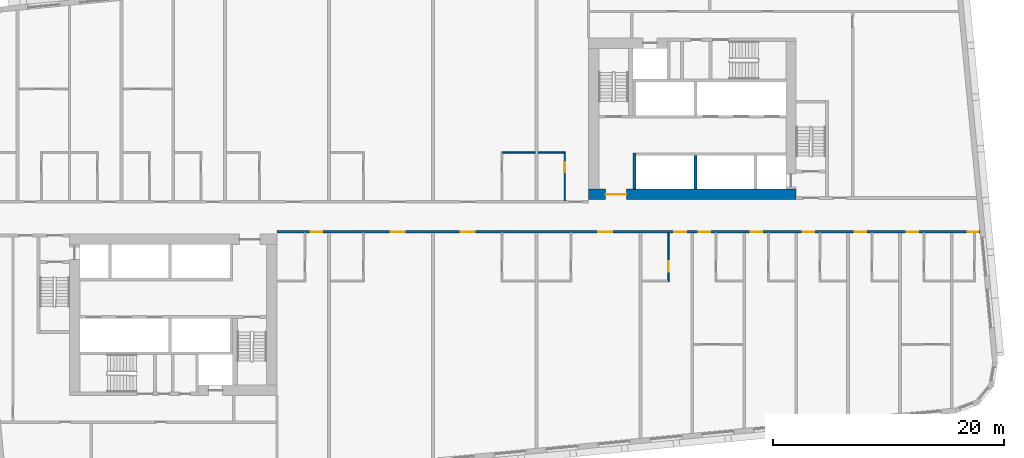
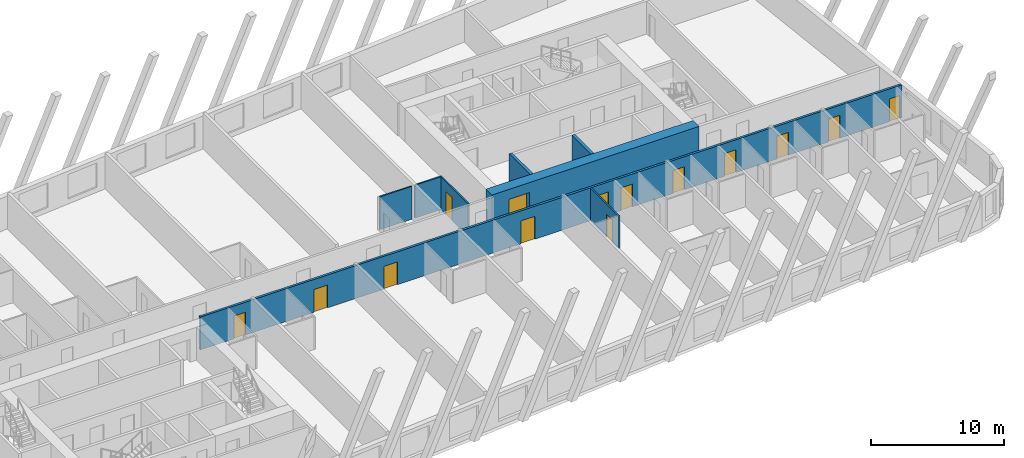
# One storey, part 5 of 13: 14 doors, 8 walls, 14 openings.
"""IFC4 building model written with IfcOpenShell, lengths in metres."""

from ifc_helpers import new_model, si_unit, direction, frame, frame_2d, origin, place, context, subcontext, project, spatial, rectangle, extrude, material, layer, layer_set, type_object, element, fill, save


model = new_model("IFC4")

# Units and contexts
model_context = context("Model", 3, precision=1e-05, world=origin(), true_north=direction((0.0, 1.0)))
body_context = subcontext(model_context, "Body", "Model", "MODEL_VIEW")
ifc_project = project(units=[si_unit("LENGTHUNIT", "METRE"), si_unit("AREAUNIT", "SQUARE_METRE"), si_unit("VOLUMEUNIT", "CUBIC_METRE"), si_unit("PLANEANGLEUNIT", "RADIAN"), si_unit("MASSUNIT", "GRAM", prefix="KILO")], contexts=[model_context])

# Site, building, storey
site_placement = place(None, origin())
site = spatial("IfcSite", under=ifc_project, at=site_placement, CompositionType="ELEMENT")
building_placement = place(site_placement, origin())
building = spatial("IfcBuilding", under=site, at=building_placement, Name="Kajstack Hotel Tower", CompositionType="ELEMENT")
storey_placement = place(building_placement, frame((0.0, 0.0, 120.699951171875)))
storey = spatial("IfcBuildingStorey", under=building, at=storey_placement, Name="L26", CompositionType="ELEMENT", Elevation=120.699951171875)

# Wall, opening, door
ifc_material_1 = material(Name="Concrete C60/75", Category="concrete")
ifc_layer_1 = layer(ifc_material_1, 0.89990234375)
ifc_layer_set_1 = layer_set([ifc_layer_1], Name="Core wall 900")
wall_type_1 = type_object("IfcWallType", Name="Core wall 900", PredefinedType="SHEAR", material=ifc_layer_set_1)
wall_1_placement = place(storey_placement, frame((13.5, 1.949951171875, 0.0), z_axis=(0.0, 0.0, 1.0), x_axis=(1.0, 0.0, 0.0)))
wall_1 = element("IfcWall", 1, at=wall_1_placement, inside=storey, type_object=wall_type_1, Name="Core wall E RN", PredefinedType="SHEAR", context=body_context, shape_type="SweptSolid", body=[
    extrude(rectangle(XDim=18.0, YDim=0.89990234375, at=frame_2d((9.0, 0.0))), origin(), (0.0, 0.0, 1.0), 3.02001953125),
])
opening_1_placement = place(wall_1_placement, frame((1.47509765625, 0.0, 0.0)))
opening_1 = element("IfcOpeningElement", 2, at=opening_1_placement, cuts=wall_1, Name="Opening 26E06", PredefinedType="OPENING", context=body_context, shape_type="SweptSolid", body=[
    extrude(rectangle(XDim=1.800048828125, YDim=2.10009765625, at=frame_2d((0.89990234375, 1.050048828125))), frame((0.0, 0.4599609375, 0.0), z_axis=(0.0, -1.0, 0.0), x_axis=(1.0, 0.0, 0.0)), (0.0, 0.0, 1.0), 0.919921875),
])
ifc_material_2 = material(Name="Glazed steel frame, fire-rated glass", Category="steel")
door_type_1 = type_object("IfcDoorType", Name="Lobby double door 1800", OperationType="DOUBLE_DOOR_DOUBLE_SWING", PredefinedType="DOOR", material=ifc_material_2)
door_1_placement = place(opening_1_placement, origin())
door_1 = element("IfcDoor", 3, at=door_1_placement, inside=storey, type_object=door_type_1, Name="Door 26E06", OperationType="DOUBLE_DOOR_DOUBLE_SWING", OverallHeight=2.10009765625, OverallWidth=1.800048828125, PredefinedType="DOOR", context=body_context, shape_type="SweptSolid", body=[
    extrude(rectangle(XDim=1.800048828125, YDim=2.10009765625, at=frame_2d((0.89990234375, 1.050048828125))), frame((0.0, 0.02490234375, 0.0), z_axis=(0.0, -1.0, 0.0), x_axis=(1.0, 0.0, 0.0)), (0.0, 0.0, 1.0), 0.050048828125),
])
fill(opening_1, door_1)

# Wall, openings, doors
ifc_material_3 = material(Name="Gypsum board on steel studs, mineral wool", Category="steel")
ifc_layer_2 = layer(ifc_material_3, 0.199951171875)
ifc_layer_set_2 = layer_set([ifc_layer_2], Name="Corridor wall 200")
wall_type_2 = type_object("IfcWallType", Name="Corridor wall 200", PredefinedType="PARTITIONING", material=ifc_layer_set_2)
wall_2_placement = place(storey_placement, frame((-13.5, -1.300048828125, 0.0), z_axis=(0.0, 0.0, 1.0), x_axis=(1.0, 0.0, 0.0)))
wall_2 = element("IfcWall", 4, at=wall_2_placement, inside=storey, type_object=wall_type_2, Name="G-wall-L26-026", PredefinedType="PARTITIONING", context=body_context, shape_type="SweptSolid", body=[
    extrude(rectangle(XDim=60.931884765625, YDim=0.199951171875, at=frame_2d((30.4658203125, 0.0))), origin(), (0.0, 0.0, 1.0), 3.02001953125),
])
opening_2_placement = place(wall_2_placement, frame((2.925048828125, 0.0, 0.0)))
opening_2 = element("IfcOpeningElement", 5, at=opening_2_placement, cuts=wall_2, Name="Opening 26021", PredefinedType="OPENING", context=body_context, shape_type="SweptSolid", body=[
    extrude(rectangle(XDim=1.0, YDim=2.10009765625, at=frame_2d((0.5, 1.050048828125))), frame((0.0, 0.10986328125, 0.0), z_axis=(0.0, -1.0, 0.0), x_axis=(1.0, 0.0, 0.0)), (0.0, 0.0, 1.0), 0.219970703125),
])
opening_3_placement = place(wall_2_placement, frame((9.863037109375, 0.0, 0.0)))
opening_3 = element("IfcOpeningElement", 6, at=opening_3_placement, cuts=wall_2, Name="Opening 26023", PredefinedType="OPENING", context=body_context, shape_type="SweptSolid", body=[
    extrude(rectangle(XDim=1.199951171875, YDim=2.10009765625, at=frame_2d((0.60009765625, 1.050048828125))), frame((0.0, 0.10986328125, 0.0), z_axis=(0.0, -1.0, 0.0), x_axis=(1.0, 0.0, 0.0)), (0.0, 0.0, 1.0), 0.219970703125),
])
opening_4_placement = place(wall_2_placement, frame((15.93798828125, 0.0, 0.0)))
opening_4 = element("IfcOpeningElement", 7, at=opening_4_placement, cuts=wall_2, Name="Opening 26025", PredefinedType="OPENING", context=body_context, shape_type="SweptSolid", body=[
    extrude(rectangle(XDim=1.199951171875, YDim=2.10009765625, at=frame_2d((0.60009765625, 1.050048828125))), frame((0.0, 0.10986328125, 0.0), z_axis=(0.0, -1.0, 0.0), x_axis=(1.0, 0.0, 0.0)), (0.0, 0.0, 1.0), 0.219970703125),
])
opening_5_placement = place(wall_2_placement, frame((27.862060546875, 0.0, 0.0)))
opening_5 = element("IfcOpeningElement", 8, at=opening_5_placement, cuts=wall_2, Name="Opening 26027", PredefinedType="OPENING", context=body_context, shape_type="SweptSolid", body=[
    extrude(rectangle(XDim=1.199951171875, YDim=2.10009765625, at=frame_2d((0.60009765625, 1.050048828125))), frame((0.0, 0.10986328125, 0.0), z_axis=(0.0, -1.0, 0.0), x_axis=(1.0, 0.0, 0.0)), (0.0, 0.0, 1.0), 0.219970703125),
])
opening_6_placement = place(wall_2_placement, frame((34.449951171875, 0.0, 0.0)))
opening_6 = element("IfcOpeningElement", 9, at=opening_6_placement, cuts=wall_2, Name="Opening 26029", PredefinedType="OPENING", context=body_context, shape_type="SweptSolid", body=[
    extrude(rectangle(XDim=1.0, YDim=2.10009765625, at=frame_2d((0.5, 1.050048828125))), frame((0.0, 0.10986328125, 0.0), z_axis=(0.0, -1.0, 0.0), x_axis=(1.0, 0.0, 0.0)), (0.0, 0.0, 1.0), 0.219970703125),
])
opening_7_placement = place(wall_2_placement, frame((36.550048828125, 0.0, 0.0)))
opening_7 = element("IfcOpeningElement", 10, at=opening_7_placement, cuts=wall_2, Name="Opening 26031", PredefinedType="OPENING", context=body_context, shape_type="SweptSolid", body=[
    extrude(rectangle(XDim=1.0, YDim=2.10009765625, at=frame_2d((0.5, 1.050048828125))), frame((0.0, 0.10986328125, 0.0), z_axis=(0.0, -1.0, 0.0), x_axis=(1.0, 0.0, 0.0)), (0.0, 0.0, 1.0), 0.219970703125),
])
opening_8_placement = place(wall_2_placement, frame((41.074951171875, 0.0, 0.0)))
opening_8 = element("IfcOpeningElement", 11, at=opening_8_placement, cuts=wall_2, Name="Opening 26034", PredefinedType="OPENING", context=body_context, shape_type="SweptSolid", body=[
    extrude(rectangle(XDim=1.0, YDim=2.10009765625, at=frame_2d((0.5, 1.050048828125))), frame((0.0, 0.10986328125, 0.0), z_axis=(0.0, -1.0, 0.0), x_axis=(1.0, 0.0, 0.0)), (0.0, 0.0, 1.0), 0.219970703125),
])
opening_9_placement = place(wall_2_placement, frame((45.550048828125, 0.0, 0.0)))
opening_9 = element("IfcOpeningElement", 12, at=opening_9_placement, cuts=wall_2, Name="Opening 26036", PredefinedType="OPENING", context=body_context, shape_type="SweptSolid", body=[
    extrude(rectangle(XDim=1.0, YDim=2.10009765625, at=frame_2d((0.5, 1.050048828125))), frame((0.0, 0.10986328125, 0.0), z_axis=(0.0, -1.0, 0.0), x_axis=(1.0, 0.0, 0.0)), (0.0, 0.0, 1.0), 0.219970703125),
])
opening_10_placement = place(wall_2_placement, frame((50.074951171875, 0.0, 0.0)))
opening_10 = element("IfcOpeningElement", 13, at=opening_10_placement, cuts=wall_2, Name="Opening 26038", PredefinedType="OPENING", context=body_context, shape_type="SweptSolid", body=[
    extrude(rectangle(XDim=1.0, YDim=2.10009765625, at=frame_2d((0.5, 1.050048828125))), frame((0.0, 0.10986328125, 0.0), z_axis=(0.0, -1.0, 0.0), x_axis=(1.0, 0.0, 0.0)), (0.0, 0.0, 1.0), 0.219970703125),
])
opening_11_placement = place(wall_2_placement, frame((54.574951171875, 0.0, 0.0)))
opening_11 = element("IfcOpeningElement", 14, at=opening_11_placement, cuts=wall_2, Name="Opening 26040", PredefinedType="OPENING", context=body_context, shape_type="SweptSolid", body=[
    extrude(rectangle(XDim=1.0, YDim=2.10009765625, at=frame_2d((0.5, 1.050048828125))), frame((0.0, 0.10986328125, 0.0), z_axis=(0.0, -1.0, 0.0), x_axis=(1.0, 0.0, 0.0)), (0.0, 0.0, 1.0), 0.219970703125),
])
opening_12_placement = place(wall_2_placement, frame((59.882080078125, 0.0, 0.0)))
opening_12 = element("IfcOpeningElement", 15, at=opening_12_placement, cuts=wall_2, Name="Opening 26043", PredefinedType="OPENING", context=body_context, shape_type="SweptSolid", body=[
    extrude(rectangle(XDim=0.89990234375, YDim=2.10009765625, at=frame_2d((0.449951171875, 1.050048828125))), frame((0.0, 0.10986328125, 0.0), z_axis=(0.0, -1.0, 0.0), x_axis=(1.0, 0.0, 0.0)), (0.0, 0.0, 1.0), 0.219970703125),
])
ifc_material_4 = material(Name="Oak veneer on timber core, fire-rated leaf", Category="wood")
door_type_2 = type_object("IfcDoorType", Name="Flat entrance door 1000", OperationType="SINGLE_SWING_LEFT", PredefinedType="DOOR", material=ifc_material_4)
door_2_placement = place(opening_2_placement, origin())
door_2 = element("IfcDoor", 16, at=door_2_placement, inside=storey, type_object=door_type_2, Name="G-door-L26-21", OperationType="SINGLE_SWING_LEFT", OverallHeight=2.10009765625, OverallWidth=1.0, PredefinedType="DOOR", context=body_context, shape_type="SweptSolid", body=[
    extrude(rectangle(XDim=1.0, YDim=2.10009765625, at=frame_2d((0.5, 1.050048828125))), frame((0.0, 0.02490234375, 0.0), z_axis=(0.0, -1.0, 0.0), x_axis=(1.0, 0.0, 0.0)), (0.0, 0.0, 1.0), 0.050048828125),
])
fill(opening_2, door_2)
door_3_placement = place(opening_6_placement, origin())
door_3 = element("IfcDoor", 17, at=door_3_placement, inside=storey, type_object=door_type_2, Name="G-door-L26-29", OperationType="SINGLE_SWING_LEFT", OverallHeight=2.10009765625, OverallWidth=1.0, PredefinedType="DOOR", context=body_context, shape_type="SweptSolid", body=[
    extrude(rectangle(XDim=1.0, YDim=2.10009765625, at=frame_2d((0.5, 1.050048828125))), frame((0.0, 0.02490234375, 0.0), z_axis=(0.0, -1.0, 0.0), x_axis=(1.0, 0.0, 0.0)), (0.0, 0.0, 1.0), 0.050048828125),
])
fill(opening_6, door_3)
door_4_placement = place(opening_7_placement, origin())
door_4 = element("IfcDoor", 18, at=door_4_placement, inside=storey, type_object=door_type_2, Name="G-door-L26-31", OperationType="SINGLE_SWING_LEFT", OverallHeight=2.10009765625, OverallWidth=1.0, PredefinedType="DOOR", context=body_context, shape_type="SweptSolid", body=[
    extrude(rectangle(XDim=1.0, YDim=2.10009765625, at=frame_2d((0.5, 1.050048828125))), frame((0.0, 0.02490234375, 0.0), z_axis=(0.0, -1.0, 0.0), x_axis=(1.0, 0.0, 0.0)), (0.0, 0.0, 1.0), 0.050048828125),
])
fill(opening_7, door_4)
door_5_placement = place(opening_8_placement, origin())
door_5 = element("IfcDoor", 19, at=door_5_placement, inside=storey, type_object=door_type_2, Name="G-door-L26-34", OperationType="SINGLE_SWING_RIGHT", OverallHeight=2.10009765625, OverallWidth=1.0, PredefinedType="DOOR", context=body_context, shape_type="SweptSolid", body=[
    extrude(rectangle(XDim=1.0, YDim=2.10009765625, at=frame_2d((0.5, 1.050048828125))), frame((0.0, 0.02490234375, 0.0), z_axis=(0.0, -1.0, 0.0), x_axis=(1.0, 0.0, 0.0)), (0.0, 0.0, 1.0), 0.050048828125),
])
fill(opening_8, door_5)
door_6_placement = place(opening_9_placement, origin())
door_6 = element("IfcDoor", 20, at=door_6_placement, inside=storey, type_object=door_type_2, Name="G-door-L26-36", OperationType="SINGLE_SWING_LEFT", OverallHeight=2.10009765625, OverallWidth=1.0, PredefinedType="DOOR", context=body_context, shape_type="SweptSolid", body=[
    extrude(rectangle(XDim=1.0, YDim=2.10009765625, at=frame_2d((0.5, 1.050048828125))), frame((0.0, 0.02490234375, 0.0), z_axis=(0.0, -1.0, 0.0), x_axis=(1.0, 0.0, 0.0)), (0.0, 0.0, 1.0), 0.050048828125),
])
fill(opening_9, door_6)
door_7_placement = place(opening_10_placement, origin())
door_7 = element("IfcDoor", 21, at=door_7_placement, inside=storey, type_object=door_type_2, Name="G-door-L26-38", OperationType="SINGLE_SWING_LEFT", OverallHeight=2.10009765625, OverallWidth=1.0, PredefinedType="DOOR", context=body_context, shape_type="SweptSolid", body=[
    extrude(rectangle(XDim=1.0, YDim=2.10009765625, at=frame_2d((0.5, 1.050048828125))), frame((0.0, 0.02490234375, 0.0), z_axis=(0.0, -1.0, 0.0), x_axis=(1.0, 0.0, 0.0)), (0.0, 0.0, 1.0), 0.050048828125),
])
fill(opening_10, door_7)
door_8_placement = place(opening_11_placement, origin())
door_8 = element("IfcDoor", 22, at=door_8_placement, inside=storey, type_object=door_type_2, Name="G-door-L26-40", OperationType="SINGLE_SWING_RIGHT", OverallHeight=2.10009765625, OverallWidth=1.0, PredefinedType="DOOR", context=body_context, shape_type="SweptSolid", body=[
    extrude(rectangle(XDim=1.0, YDim=2.10009765625, at=frame_2d((0.5, 1.050048828125))), frame((0.0, 0.02490234375, 0.0), z_axis=(0.0, -1.0, 0.0), x_axis=(1.0, 0.0, 0.0)), (0.0, 0.0, 1.0), 0.050048828125),
])
fill(opening_11, door_8)
door_type_3 = type_object("IfcDoorType", Name="Flat entrance door 1200", OperationType="SINGLE_SWING_LEFT", PredefinedType="DOOR", material=ifc_material_4)
door_9_placement = place(opening_3_placement, origin())
door_9 = element("IfcDoor", 23, at=door_9_placement, inside=storey, type_object=door_type_3, Name="G-door-L26-23", OperationType="SINGLE_SWING_LEFT", OverallHeight=2.10009765625, OverallWidth=1.199951171875, PredefinedType="DOOR", context=body_context, shape_type="SweptSolid", body=[
    extrude(rectangle(XDim=1.199951171875, YDim=2.10009765625, at=frame_2d((0.60009765625, 1.050048828125))), frame((0.0, 0.02490234375, 0.0), z_axis=(0.0, -1.0, 0.0), x_axis=(1.0, 0.0, 0.0)), (0.0, 0.0, 1.0), 0.050048828125),
])
fill(opening_3, door_9)
door_10_placement = place(opening_4_placement, origin())
door_10 = element("IfcDoor", 24, at=door_10_placement, inside=storey, type_object=door_type_3, Name="G-door-L26-25", OperationType="SINGLE_SWING_RIGHT", OverallHeight=2.10009765625, OverallWidth=1.199951171875, PredefinedType="DOOR", context=body_context, shape_type="SweptSolid", body=[
    extrude(rectangle(XDim=1.199951171875, YDim=2.10009765625, at=frame_2d((0.60009765625, 1.050048828125))), frame((0.0, 0.02490234375, 0.0), z_axis=(0.0, -1.0, 0.0), x_axis=(1.0, 0.0, 0.0)), (0.0, 0.0, 1.0), 0.050048828125),
])
fill(opening_4, door_10)
door_11_placement = place(opening_5_placement, origin())
door_11 = element("IfcDoor", 25, at=door_11_placement, inside=storey, type_object=door_type_3, Name="G-door-L26-27", OperationType="SINGLE_SWING_LEFT", OverallHeight=2.10009765625, OverallWidth=1.199951171875, PredefinedType="DOOR", context=body_context, shape_type="SweptSolid", body=[
    extrude(rectangle(XDim=1.199951171875, YDim=2.10009765625, at=frame_2d((0.60009765625, 1.050048828125))), frame((0.0, 0.02490234375, 0.0), z_axis=(0.0, -1.0, 0.0), x_axis=(1.0, 0.0, 0.0)), (0.0, 0.0, 1.0), 0.050048828125),
])
fill(opening_5, door_11)
ifc_material_5 = material(Name="Painted timber door leaf", Category="wood")
door_type_4 = type_object("IfcDoorType", Name="Room door 900", OperationType="SINGLE_SWING_LEFT", PredefinedType="DOOR", material=ifc_material_5)
door_12_placement = place(opening_12_placement, origin())
door_12 = element("IfcDoor", 26, at=door_12_placement, inside=storey, type_object=door_type_4, Name="G-door-L26-43", OperationType="SINGLE_SWING_LEFT", OverallHeight=2.10009765625, OverallWidth=0.89990234375, PredefinedType="DOOR", context=body_context, shape_type="SweptSolid", body=[
    extrude(rectangle(XDim=0.89990234375, YDim=2.10009765625, at=frame_2d((0.449951171875, 1.050048828125))), frame((0.0, 0.02490234375, 0.0), z_axis=(0.0, -1.0, 0.0), x_axis=(1.0, 0.0, 0.0)), (0.0, 0.0, 1.0), 0.050048828125),
])
fill(opening_12, door_12)

# Wall
ifc_material_6 = material(Name="Gypsum board and tiled backer on steel studs", Category="steel")
ifc_layer_3 = layer(ifc_material_6, 0.125)
ifc_layer_set_3 = layer_set([ifc_layer_3], Name="En-suite wall 125")
wall_type_3 = type_object("IfcWallType", Name="En-suite wall 125", PredefinedType="PARTITIONING", material=ifc_layer_set_3)
wall_3_placement = place(storey_placement, frame((6.074951171875, 5.56201171875, 0.0), z_axis=(0.0, 0.0, 1.0), x_axis=(1.0, 0.0, 0.0)))
element("IfcWall", 27, at=wall_3_placement, inside=storey, type_object=wall_type_3, Name="G-wall-L26-023", PredefinedType="PARTITIONING", context=body_context, shape_type="SweptSolid", body=[
    extrude(rectangle(XDim=2.800048828125, YDim=0.125, at=frame_2d((1.39990234375, 0.0))), origin(), (0.0, 0.0, 1.0), 3.02001953125),
])

# Wall, opening, door
wall_4_placement = place(storey_placement, frame((11.43798828125, 1.39990234375, 0.0), z_axis=(0.0, 0.0, 1.0), x_axis=(0.0, 1.0, 0.0)))
wall_4 = element("IfcWall", 28, at=wall_4_placement, inside=storey, type_object=wall_type_3, Name="G-wall-L26-024", PredefinedType="PARTITIONING", context=body_context, shape_type="SweptSolid", body=[
    extrude(rectangle(XDim=4.22509765625, YDim=0.125, at=frame_2d((2.112548828125, 0.0))), origin(), (0.0, 0.0, 1.0), 3.02001953125),
])
opening_13_placement = place(wall_4_placement, frame((2.449951171875, 0.0, 0.0)))
opening_13 = element("IfcOpeningElement", 29, at=opening_13_placement, cuts=wall_4, Name="Opening 26020", PredefinedType="OPENING", context=body_context, shape_type="SweptSolid", body=[
    extrude(rectangle(XDim=0.89990234375, YDim=2.10009765625, at=frame_2d((0.449951171875, 1.050048828125))), frame((0.0, 0.072509765625, 0.0), z_axis=(0.0, -1.0, 0.0), x_axis=(1.0, 0.0, 0.0)), (0.0, 0.0, 1.0), 0.14501953125),
])
door_13_placement = place(opening_13_placement, origin())
door_13 = element("IfcDoor", 30, at=door_13_placement, inside=storey, type_object=door_type_4, Name="G-door-L26-20", OperationType="SINGLE_SWING_LEFT", OverallHeight=2.10009765625, OverallWidth=0.89990234375, PredefinedType="DOOR", context=body_context, shape_type="SweptSolid", body=[
    extrude(rectangle(XDim=0.89990234375, YDim=2.10009765625, at=frame_2d((0.449951171875, 1.050048828125))), frame((0.0, 0.02490234375, 0.0), z_axis=(0.0, -1.0, 0.0), x_axis=(1.0, 0.0, 0.0)), (0.0, 0.0, 1.0), 0.050048828125),
])
fill(opening_13, door_13)

# Wall
wall_5_placement = place(storey_placement, frame((9.125, 5.56201171875, 0.0), z_axis=(0.0, 0.0, 1.0), x_axis=(1.0, 0.0, 0.0)))
element("IfcWall", 31, at=wall_5_placement, inside=storey, type_object=wall_type_3, Name="G-wall-L26-025", PredefinedType="PARTITIONING", context=body_context, shape_type="SweptSolid", body=[
    extrude(rectangle(XDim=2.25, YDim=0.125, at=frame_2d((1.125, 0.0))), origin(), (0.0, 0.0, 1.0), 3.02001953125),
])

# Wall, opening, door
wall_6_placement = place(storey_placement, frame((20.43798828125, -5.625, 0.0), z_axis=(0.0, 0.0, 1.0), x_axis=(0.0, 1.0, 0.0)))
wall_6 = element("IfcWall", 32, at=wall_6_placement, inside=storey, type_object=wall_type_3, Name="G-wall-L26-036", PredefinedType="PARTITIONING", context=body_context, shape_type="SweptSolid", body=[
    extrude(rectangle(XDim=4.22509765625, YDim=0.125, at=frame_2d((2.112548828125, 0.0))), origin(), (0.0, 0.0, 1.0), 3.02001953125),
])
opening_14_placement = place(wall_6_placement, frame((0.875, 0.0, 0.0)))
opening_14 = element("IfcOpeningElement", 33, at=opening_14_placement, cuts=wall_6, Name="Opening 26030", PredefinedType="OPENING", context=body_context, shape_type="SweptSolid", body=[
    extrude(rectangle(XDim=0.89990234375, YDim=2.10009765625, at=frame_2d((0.449951171875, 1.050048828125))), frame((0.0, 0.072509765625, 0.0), z_axis=(0.0, -1.0, 0.0), x_axis=(1.0, 0.0, 0.0)), (0.0, 0.0, 1.0), 0.14501953125),
])
door_14_placement = place(opening_14_placement, origin())
door_14 = element("IfcDoor", 34, at=door_14_placement, inside=storey, type_object=door_type_4, Name="G-door-L26-30", OperationType="SINGLE_SWING_RIGHT", OverallHeight=2.10009765625, OverallWidth=0.89990234375, PredefinedType="DOOR", context=body_context, shape_type="SweptSolid", body=[
    extrude(rectangle(XDim=0.89990234375, YDim=2.10009765625, at=frame_2d((0.449951171875, 1.050048828125))), frame((0.0, 0.02490234375, 0.0), z_axis=(0.0, -1.0, 0.0), x_axis=(1.0, 0.0, 0.0)), (0.0, 0.0, 1.0), 0.050048828125),
])
fill(opening_14, door_14)

# Walls
ifc_material_7 = material(Name="Concrete C50/60", Category="concrete")
ifc_layer_4 = layer(ifc_material_7, 0.300048828125)
ifc_layer_set_4 = layer_set([ifc_layer_4], Name="Hoistway divider wall 300")
wall_type_4 = type_object("IfcWallType", Name="Hoistway divider wall 300", PredefinedType="SHEAR", material=ifc_layer_set_4)
wall_7_placement = place(storey_placement, frame((22.77490234375, 2.39990234375, 0.0), z_axis=(0.0, 0.0, 1.0), x_axis=(0.0, 1.0, 0.0)))
element("IfcWall", 35, at=wall_7_placement, inside=storey, type_object=wall_type_4, Name="Core wall E AP2", PredefinedType="SHEAR", context=body_context, shape_type="SweptSolid", body=[
    extrude(rectangle(XDim=2.900146484375, YDim=0.25, at=frame_2d((1.4501953125, 0.0))), origin(), (0.0, 0.0, 1.0), 3.02001953125),
])
ifc_layer_5 = layer(ifc_material_7, 0.25)
ifc_layer_set_5 = layer_set([ifc_layer_5], Name="Shaft wall 250")
wall_type_5 = type_object("IfcWallType", Name="Shaft wall 250", PredefinedType="SHEAR", material=ifc_layer_set_5)
wall_8_placement = place(storey_placement, frame((17.47509765625, 2.39990234375, 0.0), z_axis=(0.0, 0.0, 1.0), x_axis=(0.0, 1.0, 0.0)))
element("IfcWall", 36, at=wall_8_placement, inside=storey, type_object=wall_type_5, Name="Core wall E AE", PredefinedType="SHEAR", context=body_context, shape_type="SweptSolid", body=[
    extrude(rectangle(XDim=3.150146484375, YDim=0.25, at=frame_2d((1.5751953125, 0.0))), origin(), (0.0, 0.0, 1.0), 3.02001953125),
])

save(model, "model.ifc")
